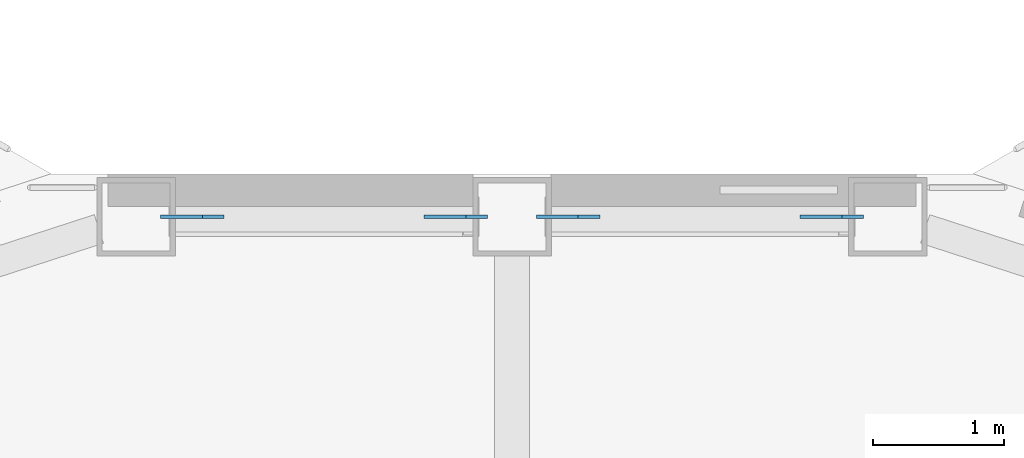
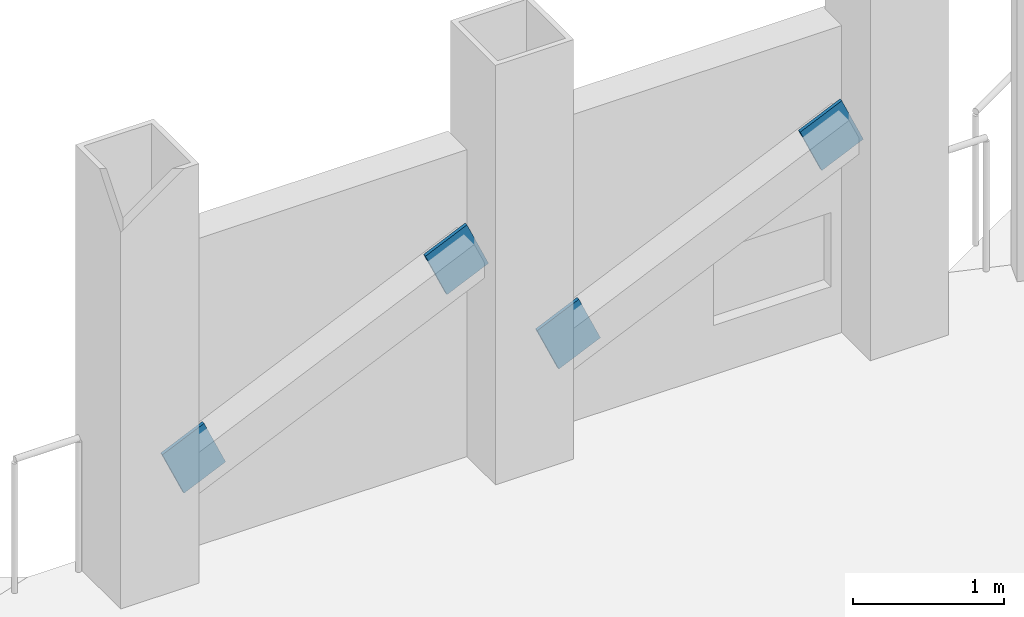
# One storey, part 22 of 28: 4 discrete accessories.
"""IFC4 building model written with IfcOpenShell, lengths in metres."""

from ifc_helpers import new_model, si_unit, direction, frame, origin, origin_2d, place, context, subcontext, project, spatial, rectangle, extrude, material, material_profile, profile_set, type_object, element, save


model = new_model("IFC4")

# Units and contexts
model_context = context("Model", 3, precision=1e-05, world=origin(), true_north=direction((0.0, 1.0)))
body_context = subcontext(model_context, "Body", "Model", "MODEL_VIEW")
ifc_project = project(units=[si_unit("LENGTHUNIT", "METRE"), si_unit("AREAUNIT", "SQUARE_METRE"), si_unit("VOLUMEUNIT", "CUBIC_METRE"), si_unit("PLANEANGLEUNIT", "RADIAN"), si_unit("MASSUNIT", "GRAM", prefix="KILO")], contexts=[model_context])

# Site, building, storey
site_placement = place(None, origin())
site = spatial("IfcSite", under=ifc_project, at=site_placement, CompositionType="ELEMENT")
building_placement = place(site_placement, origin())
building = spatial("IfcBuilding", under=site, at=building_placement, Name="Cormorant Prow Tower", CompositionType="ELEMENT")
storey_placement = place(building_placement, frame((0.0, 0.0, 308.60009765625)))
storey = spatial("IfcBuildingStorey", under=building, at=storey_placement, Name="L67", CompositionType="ELEMENT", Elevation=308.60009765625)

# Discrete accessories
ifc_material = material(Name="Structural steel ASTM A500 Gr C", Category="steel")
ifc_material_profile = material_profile(ifc_material, rectangle(XDim=0.02490234375, YDim=0.405029296875, at=origin_2d()), Name="Gusset plate 25x405")
ifc_profile_set = profile_set([ifc_material_profile], Name="Structural steel ASTM A500 Gr C")
discrete_accessory_type = type_object("IfcDiscreteAccessoryType", Name="Gusset plate 25x405", PredefinedType="BRACKET", material=ifc_profile_set)
discrete_accessory_1_placement = place(storey_placement, frame((0.588623046875, 31.676025390625, 0.86376953125), z_axis=(-0.912338666822, 0.0, -0.409436389468), x_axis=(0.0, -1.0, 0.0)))
element("IfcDiscreteAccessory", 1, at=discrete_accessory_1_placement, inside=storey, type_object=discrete_accessory_type, Name="Gusset plate GP3 L67.N00.g0", PredefinedType="BRACKET", context=body_context, shape_type="SweptSolid", body=[
    extrude(rectangle(XDim=0.02490234375, YDim=0.405029296875, at=origin_2d()), origin(), (0.0, 0.0, 1.0), 0.35009765625),
])
discrete_accessory_2_placement = place(storey_placement, frame((2.28515625, 31.676025390625, 1.6240234375), z_axis=(0.912599106234, 0.0, 0.408855562884), x_axis=(0.0, 1.0, 0.0)))
element("IfcDiscreteAccessory", 2, at=discrete_accessory_2_placement, inside=storey, type_object=discrete_accessory_type, Name="Gusset plate GP3 L67.N00.g1", PredefinedType="BRACKET", context=body_context, shape_type="SweptSolid", body=[
    extrude(rectangle(XDim=0.02490234375, YDim=0.405029296875, at=origin_2d()), origin(), (0.0, 0.0, 1.0), 0.349853515625),
])
discrete_accessory_3_placement = place(storey_placement, frame((-2.28515625, 31.676025390625, 0.86376953125), z_axis=(-0.912338666822, 0.0, -0.409436389468), x_axis=(0.0, -1.0, 0.0)))
element("IfcDiscreteAccessory", 3, at=discrete_accessory_3_placement, inside=storey, type_object=discrete_accessory_type, Name="Gusset plate GP3 L67.N01.g0", PredefinedType="BRACKET", context=body_context, shape_type="SweptSolid", body=[
    extrude(rectangle(XDim=0.02490234375, YDim=0.405029296875, at=origin_2d()), origin(), (0.0, 0.0, 1.0), 0.35009765625),
])
discrete_accessory_4_placement = place(storey_placement, frame((-0.588623046875, 31.676025390625, 1.6240234375), z_axis=(0.912599106234, 0.0, 0.408855562884), x_axis=(0.0, 1.0, 0.0)))
element("IfcDiscreteAccessory", 4, at=discrete_accessory_4_placement, inside=storey, type_object=discrete_accessory_type, Name="Gusset plate GP3 L67.N01.g1", PredefinedType="BRACKET", context=body_context, shape_type="SweptSolid", body=[
    extrude(rectangle(XDim=0.02490234375, YDim=0.405029296875, at=origin_2d()), origin(), (0.0, 0.0, 1.0), 0.349853515625),
])

save(model, "model.ifc")
